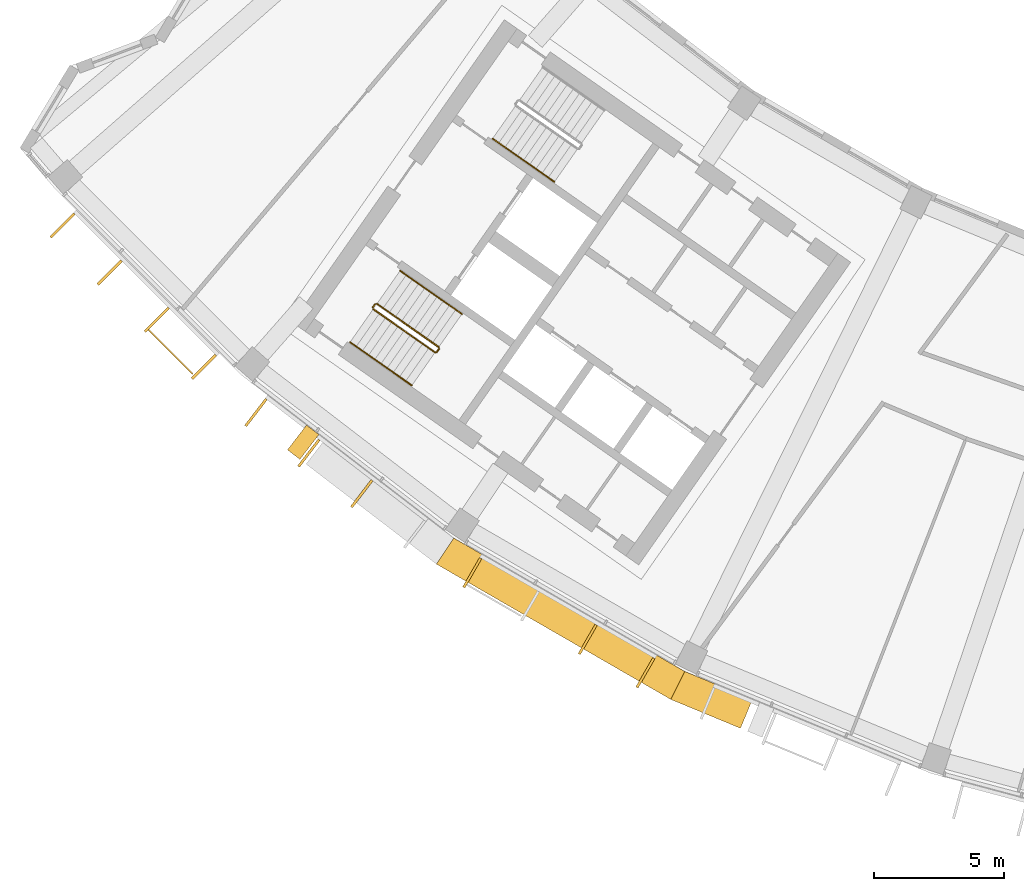
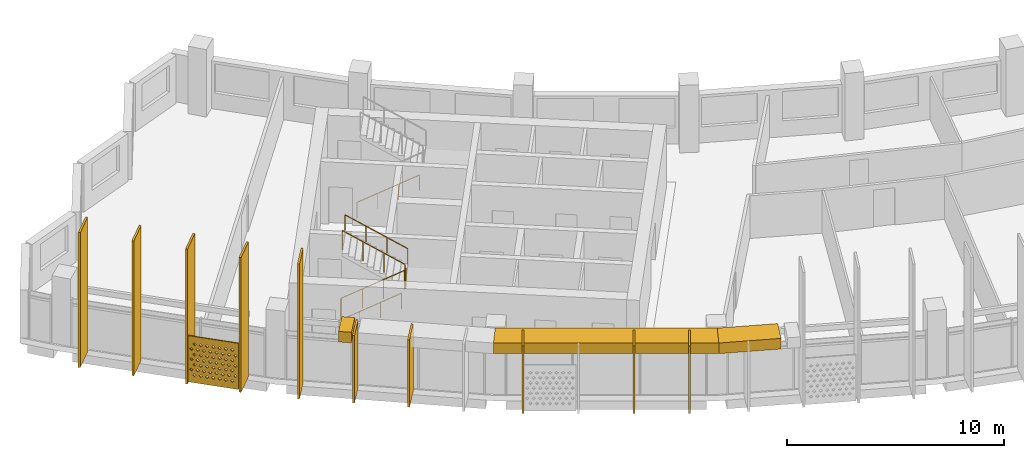
# One storey, part 23 of 28: 14 shading devices, 6 railings.
"""IFC4 building model written with IfcOpenShell, lengths in metres."""

from ifc_helpers import new_model, si_unit, direction, frame, origin, origin_2d, place, context, subcontext, project, spatial, polyline, rectangle, circle, outline, extrude, material, material_profile, profile_set, type_object, element, save


model = new_model("IFC4")

# Units and contexts
model_context = context("Model", 3, precision=1e-05, world=origin(), true_north=direction((0.0, 1.0)))
body_context = subcontext(model_context, "Body", "Model", "MODEL_VIEW")
ifc_project = project(units=[si_unit("LENGTHUNIT", "METRE"), si_unit("AREAUNIT", "SQUARE_METRE"), si_unit("VOLUMEUNIT", "CUBIC_METRE"), si_unit("PLANEANGLEUNIT", "RADIAN"), si_unit("MASSUNIT", "GRAM", prefix="KILO")], contexts=[model_context])

# Site, building, storey
site_placement = place(None, origin())
site = spatial("IfcSite", under=ifc_project, at=site_placement, CompositionType="ELEMENT")
building_placement = place(site_placement, origin())
building = spatial("IfcBuilding", under=site, at=building_placement, Name="Qamariyya Broadcast Tower", CompositionType="ELEMENT")
storey_placement = place(building_placement, frame((0.0, 0.0, 265.699951171875)))
storey = spatial("IfcBuildingStorey", under=building, at=storey_placement, Name="L64", CompositionType="ELEMENT", Elevation=265.699951171875)

# Shading devices
ifc_material_1 = material(Name="Steel S355 powder coated deep red", Category="steel")
shading_device_type_1 = type_object("IfcShadingDeviceType", Name="Deep red frame, powder coated steel box section", PredefinedType="USERDEFINED", material=ifc_material_1)
shading_device_1_placement = place(storey_placement, frame((0.0, 0.0, 3.199951171875)))
element("IfcShadingDevice", 1, at=shading_device_1_placement, inside=storey, type_object=shading_device_type_1, Name="e-frm-B5-F2-posta-L64", ObjectType="FRAME", PredefinedType="USERDEFINED", context=body_context, shape_type="SweptSolid", body=[
    extrude(outline(polyline([(-49.1875, -60.8037109375), (-49.91796875, -61.755615234375), (-49.44189453125, -62.120849609375), (-48.71142578125, -61.1689453125), (-49.1875, -60.8037109375)])), origin(), (0.0, 0.0, 1.0), 0.60009765625),
])
shading_device_2_placement = place(storey_placement, frame((0.0, 0.0, 3.199951171875)))
element("IfcShadingDevice", 2, at=shading_device_2_placement, inside=storey, type_object=shading_device_type_1, Name="e-frm-B5-F2-bot1", ObjectType="FRAME", PredefinedType="USERDEFINED", context=body_context, shape_type="SweptSolid", body=[
    extrude(outline(polyline([(-43.52880859375, -65.145751953125), (-44.197021484375, -66.1455078125), (-35.185302734375, -71.3486328125), (-34.6533203125, -70.27001953125), (-43.52880859375, -65.145751953125)])), origin(), (0.0, 0.0, 1.0), 0.60009765625),
])
shading_device_3_placement = place(storey_placement, frame((0.0, 0.0, 3.199951171875)))
element("IfcShadingDevice", 3, at=shading_device_3_placement, inside=storey, type_object=shading_device_type_1, Name="e-frm-B5-F2-bot2", ObjectType="FRAME", PredefinedType="USERDEFINED", context=body_context, shape_type="SweptSolid", body=[
    extrude(outline(polyline([(-34.6533203125, -70.27001953125), (-35.185302734375, -71.3486328125), (-32.5107421875, -72.456298828125), (-32.051513671875, -71.34765625), (-34.6533203125, -70.27001953125)])), origin(), (0.0, 0.0, 1.0), 0.60009765625),
])
ifc_material_2 = material(Name="Perforated glazed terracotta", Category="masonry")
ifc_material_profile_1 = material_profile(ifc_material_2, outline(polyline([(-1.199951171875, -1.300048828125), (1.199951171875, -1.300048828125), (1.199951171875, 1.300048828125), (-1.199951171875, 1.300048828125), (-1.199951171875, -1.300048828125)]), holes=[polyline([(-0.81494140625, -0.86669921875), (-0.89990234375, -0.78173828125), (-0.985107421875, -0.86669921875), (-0.89990234375, -0.95166015625), (-0.81494140625, -0.86669921875)]), polyline([(-0.514892578125, -0.86669921875), (-0.60009765625, -0.78173828125), (-0.68505859375, -0.86669921875), (-0.60009765625, -0.95166015625), (-0.514892578125, -0.86669921875)]), polyline([(-0.215087890625, -0.86669921875), (-0.300048828125, -0.78173828125), (-0.385009765625, -0.86669921875), (-0.300048828125, -0.95166015625), (-0.215087890625, -0.86669921875)]), polyline([(0.0849609375, -0.86669921875), (0.0, -0.78173828125), (-0.0849609375, -0.86669921875), (0.0, -0.95166015625), (0.0849609375, -0.86669921875)]), polyline([(0.385009765625, -0.86669921875), (0.300048828125, -0.78173828125), (0.215087890625, -0.86669921875), (0.300048828125, -0.95166015625), (0.385009765625, -0.86669921875)]), polyline([(0.68505859375, -0.86669921875), (0.60009765625, -0.78173828125), (0.514892578125, -0.86669921875), (0.60009765625, -0.95166015625), (0.68505859375, -0.86669921875)]), polyline([(0.985107421875, -0.86669921875), (0.89990234375, -0.78173828125), (0.81494140625, -0.86669921875), (0.89990234375, -0.95166015625), (0.985107421875, -0.86669921875)]), polyline([(-0.965087890625, -0.577880859375), (-1.050048828125, -0.49267578125), (-1.135009765625, -0.577880859375), (-1.050048828125, -0.662841796875), (-0.965087890625, -0.577880859375)]), polyline([(-0.6650390625, -0.577880859375), (-0.75, -0.49267578125), (-0.8349609375, -0.577880859375), (-0.75, -0.662841796875), (-0.6650390625, -0.577880859375)]), polyline([(-0.364990234375, -0.577880859375), (-0.449951171875, -0.49267578125), (-0.534912109375, -0.577880859375), (-0.449951171875, -0.662841796875), (-0.364990234375, -0.577880859375)]), polyline([(-0.06494140625, -0.577880859375), (-0.14990234375, -0.49267578125), (-0.235107421875, -0.577880859375), (-0.14990234375, -0.662841796875), (-0.06494140625, -0.577880859375)]), polyline([(0.235107421875, -0.577880859375), (0.14990234375, -0.49267578125), (0.06494140625, -0.577880859375), (0.14990234375, -0.662841796875), (0.235107421875, -0.577880859375)]), polyline([(0.534912109375, -0.577880859375), (0.449951171875, -0.49267578125), (0.364990234375, -0.577880859375), (0.449951171875, -0.662841796875), (0.534912109375, -0.577880859375)]), polyline([(0.8349609375, -0.577880859375), (0.75, -0.49267578125), (0.6650390625, -0.577880859375), (0.75, -0.662841796875), (0.8349609375, -0.577880859375)]), polyline([(1.135009765625, -0.577880859375), (1.050048828125, -0.49267578125), (0.965087890625, -0.577880859375), (1.050048828125, -0.662841796875), (1.135009765625, -0.577880859375)]), polyline([(-0.81494140625, -0.288818359375), (-0.89990234375, -0.203857421875), (-0.985107421875, -0.288818359375), (-0.89990234375, -0.373779296875), (-0.81494140625, -0.288818359375)]), polyline([(-0.514892578125, -0.288818359375), (-0.60009765625, -0.203857421875), (-0.68505859375, -0.288818359375), (-0.60009765625, -0.373779296875), (-0.514892578125, -0.288818359375)]), polyline([(-0.215087890625, -0.288818359375), (-0.300048828125, -0.203857421875), (-0.385009765625, -0.288818359375), (-0.300048828125, -0.373779296875), (-0.215087890625, -0.288818359375)]), polyline([(0.0849609375, -0.288818359375), (0.0, -0.203857421875), (-0.0849609375, -0.288818359375), (0.0, -0.373779296875), (0.0849609375, -0.288818359375)]), polyline([(0.385009765625, -0.288818359375), (0.300048828125, -0.203857421875), (0.215087890625, -0.288818359375), (0.300048828125, -0.373779296875), (0.385009765625, -0.288818359375)]), polyline([(0.68505859375, -0.288818359375), (0.60009765625, -0.203857421875), (0.514892578125, -0.288818359375), (0.60009765625, -0.373779296875), (0.68505859375, -0.288818359375)]), polyline([(0.985107421875, -0.288818359375), (0.89990234375, -0.203857421875), (0.81494140625, -0.288818359375), (0.89990234375, -0.373779296875), (0.985107421875, -0.288818359375)]), polyline([(-0.965087890625, 0.0), (-1.050048828125, 0.0849609375), (-1.135009765625, 0.0), (-1.050048828125, -0.0849609375), (-0.965087890625, 0.0)]), polyline([(-0.6650390625, 0.0), (-0.75, 0.0849609375), (-0.8349609375, 0.0), (-0.75, -0.0849609375), (-0.6650390625, 0.0)]), polyline([(-0.364990234375, 0.0), (-0.449951171875, 0.0849609375), (-0.534912109375, 0.0), (-0.449951171875, -0.0849609375), (-0.364990234375, 0.0)]), polyline([(-0.06494140625, 0.0), (-0.14990234375, 0.0849609375), (-0.235107421875, 0.0), (-0.14990234375, -0.0849609375), (-0.06494140625, 0.0)]), polyline([(0.235107421875, 0.0), (0.14990234375, 0.0849609375), (0.06494140625, 0.0), (0.14990234375, -0.0849609375), (0.235107421875, 0.0)]), polyline([(0.534912109375, 0.0), (0.449951171875, 0.0849609375), (0.364990234375, 0.0), (0.449951171875, -0.0849609375), (0.534912109375, 0.0)]), polyline([(0.8349609375, 0.0), (0.75, 0.0849609375), (0.6650390625, 0.0), (0.75, -0.0849609375), (0.8349609375, 0.0)]), polyline([(1.135009765625, 0.0), (1.050048828125, 0.0849609375), (0.965087890625, 0.0), (1.050048828125, -0.0849609375), (1.135009765625, 0.0)]), polyline([(-0.81494140625, 0.288818359375), (-0.89990234375, 0.373779296875), (-0.985107421875, 0.288818359375), (-0.89990234375, 0.203857421875), (-0.81494140625, 0.288818359375)]), polyline([(-0.514892578125, 0.288818359375), (-0.60009765625, 0.373779296875), (-0.68505859375, 0.288818359375), (-0.60009765625, 0.203857421875), (-0.514892578125, 0.288818359375)]), polyline([(-0.215087890625, 0.288818359375), (-0.300048828125, 0.373779296875), (-0.385009765625, 0.288818359375), (-0.300048828125, 0.203857421875), (-0.215087890625, 0.288818359375)]), polyline([(0.0849609375, 0.288818359375), (0.0, 0.373779296875), (-0.0849609375, 0.288818359375), (0.0, 0.203857421875), (0.0849609375, 0.288818359375)]), polyline([(0.385009765625, 0.288818359375), (0.300048828125, 0.373779296875), (0.215087890625, 0.288818359375), (0.300048828125, 0.203857421875), (0.385009765625, 0.288818359375)]), polyline([(0.68505859375, 0.288818359375), (0.60009765625, 0.373779296875), (0.514892578125, 0.288818359375), (0.60009765625, 0.203857421875), (0.68505859375, 0.288818359375)]), polyline([(0.985107421875, 0.288818359375), (0.89990234375, 0.373779296875), (0.81494140625, 0.288818359375), (0.89990234375, 0.203857421875), (0.985107421875, 0.288818359375)]), polyline([(-0.965087890625, 0.577880859375), (-1.050048828125, 0.662841796875), (-1.135009765625, 0.577880859375), (-1.050048828125, 0.49267578125), (-0.965087890625, 0.577880859375)]), polyline([(-0.6650390625, 0.577880859375), (-0.75, 0.662841796875), (-0.8349609375, 0.577880859375), (-0.75, 0.49267578125), (-0.6650390625, 0.577880859375)]), polyline([(-0.364990234375, 0.577880859375), (-0.449951171875, 0.662841796875), (-0.534912109375, 0.577880859375), (-0.449951171875, 0.49267578125), (-0.364990234375, 0.577880859375)]), polyline([(-0.06494140625, 0.577880859375), (-0.14990234375, 0.662841796875), (-0.235107421875, 0.577880859375), (-0.14990234375, 0.49267578125), (-0.06494140625, 0.577880859375)]), polyline([(0.235107421875, 0.577880859375), (0.14990234375, 0.662841796875), (0.06494140625, 0.577880859375), (0.14990234375, 0.49267578125), (0.235107421875, 0.577880859375)]), polyline([(0.534912109375, 0.577880859375), (0.449951171875, 0.662841796875), (0.364990234375, 0.577880859375), (0.449951171875, 0.49267578125), (0.534912109375, 0.577880859375)]), polyline([(0.8349609375, 0.577880859375), (0.75, 0.662841796875), (0.6650390625, 0.577880859375), (0.75, 0.49267578125), (0.8349609375, 0.577880859375)]), polyline([(1.135009765625, 0.577880859375), (1.050048828125, 0.662841796875), (0.965087890625, 0.577880859375), (1.050048828125, 0.49267578125), (1.135009765625, 0.577880859375)]), polyline([(-0.81494140625, 0.86669921875), (-0.89990234375, 0.95166015625), (-0.985107421875, 0.86669921875), (-0.89990234375, 0.78173828125), (-0.81494140625, 0.86669921875)]), polyline([(-0.514892578125, 0.86669921875), (-0.60009765625, 0.95166015625), (-0.68505859375, 0.86669921875), (-0.60009765625, 0.78173828125), (-0.514892578125, 0.86669921875)]), polyline([(-0.215087890625, 0.86669921875), (-0.300048828125, 0.95166015625), (-0.385009765625, 0.86669921875), (-0.300048828125, 0.78173828125), (-0.215087890625, 0.86669921875)]), polyline([(0.0849609375, 0.86669921875), (0.0, 0.95166015625), (-0.0849609375, 0.86669921875), (0.0, 0.78173828125), (0.0849609375, 0.86669921875)]), polyline([(0.385009765625, 0.86669921875), (0.300048828125, 0.95166015625), (0.215087890625, 0.86669921875), (0.300048828125, 0.78173828125), (0.385009765625, 0.86669921875)]), polyline([(0.68505859375, 0.86669921875), (0.60009765625, 0.95166015625), (0.514892578125, 0.86669921875), (0.60009765625, 0.78173828125), (0.68505859375, 0.86669921875)]), polyline([(0.985107421875, 0.86669921875), (0.89990234375, 0.95166015625), (0.81494140625, 0.86669921875), (0.89990234375, 0.78173828125), (0.985107421875, 0.86669921875)])]))
ifc_profile_set_1 = profile_set([ifc_material_profile_1], Name="Perforated glazed terracotta")
shading_device_type_2 = type_object("IfcShadingDeviceType", Name="Perforated terracotta screen 2400 x 2600", PredefinedType="USERDEFINED", material=ifc_profile_set_1)
shading_device_4_placement = place(storey_placement, frame((-54.391357421875, -57.970947265625, 1.35009765625), z_axis=(-0.707106781187, -0.707106781187, 0.0), x_axis=(0.707106781187, -0.707106781187, 0.0)))
element("IfcShadingDevice", 4, at=shading_device_4_placement, inside=storey, type_object=shading_device_type_2, Name="e-scr-L64-01-2", ObjectType="SCREEN", PredefinedType="USERDEFINED", context=body_context, shape_type="SweptSolid", body=[
    extrude(outline(polyline([(-1.199951171875, -1.300048828125), (1.199951171875, -1.300048828125), (1.199951171875, 1.300048828125), (-1.199951171875, 1.300048828125), (-1.199951171875, -1.300048828125)]), holes=[polyline([(-0.81494140625, -0.86669921875), (-0.89990234375, -0.78173828125), (-0.985107421875, -0.86669921875), (-0.89990234375, -0.95166015625), (-0.81494140625, -0.86669921875)]), polyline([(-0.514892578125, -0.86669921875), (-0.60009765625, -0.78173828125), (-0.68505859375, -0.86669921875), (-0.60009765625, -0.95166015625), (-0.514892578125, -0.86669921875)]), polyline([(-0.215087890625, -0.86669921875), (-0.300048828125, -0.78173828125), (-0.385009765625, -0.86669921875), (-0.300048828125, -0.95166015625), (-0.215087890625, -0.86669921875)]), polyline([(0.0849609375, -0.86669921875), (0.0, -0.78173828125), (-0.0849609375, -0.86669921875), (0.0, -0.95166015625), (0.0849609375, -0.86669921875)]), polyline([(0.385009765625, -0.86669921875), (0.300048828125, -0.78173828125), (0.215087890625, -0.86669921875), (0.300048828125, -0.95166015625), (0.385009765625, -0.86669921875)]), polyline([(0.68505859375, -0.86669921875), (0.60009765625, -0.78173828125), (0.514892578125, -0.86669921875), (0.60009765625, -0.95166015625), (0.68505859375, -0.86669921875)]), polyline([(0.985107421875, -0.86669921875), (0.89990234375, -0.78173828125), (0.81494140625, -0.86669921875), (0.89990234375, -0.95166015625), (0.985107421875, -0.86669921875)]), polyline([(-0.965087890625, -0.577880859375), (-1.050048828125, -0.49267578125), (-1.135009765625, -0.577880859375), (-1.050048828125, -0.662841796875), (-0.965087890625, -0.577880859375)]), polyline([(-0.6650390625, -0.577880859375), (-0.75, -0.49267578125), (-0.8349609375, -0.577880859375), (-0.75, -0.662841796875), (-0.6650390625, -0.577880859375)]), polyline([(-0.364990234375, -0.577880859375), (-0.449951171875, -0.49267578125), (-0.534912109375, -0.577880859375), (-0.449951171875, -0.662841796875), (-0.364990234375, -0.577880859375)]), polyline([(-0.06494140625, -0.577880859375), (-0.14990234375, -0.49267578125), (-0.235107421875, -0.577880859375), (-0.14990234375, -0.662841796875), (-0.06494140625, -0.577880859375)]), polyline([(0.235107421875, -0.577880859375), (0.14990234375, -0.49267578125), (0.06494140625, -0.577880859375), (0.14990234375, -0.662841796875), (0.235107421875, -0.577880859375)]), polyline([(0.534912109375, -0.577880859375), (0.449951171875, -0.49267578125), (0.364990234375, -0.577880859375), (0.449951171875, -0.662841796875), (0.534912109375, -0.577880859375)]), polyline([(0.8349609375, -0.577880859375), (0.75, -0.49267578125), (0.6650390625, -0.577880859375), (0.75, -0.662841796875), (0.8349609375, -0.577880859375)]), polyline([(1.135009765625, -0.577880859375), (1.050048828125, -0.49267578125), (0.965087890625, -0.577880859375), (1.050048828125, -0.662841796875), (1.135009765625, -0.577880859375)]), polyline([(-0.81494140625, -0.288818359375), (-0.89990234375, -0.203857421875), (-0.985107421875, -0.288818359375), (-0.89990234375, -0.373779296875), (-0.81494140625, -0.288818359375)]), polyline([(-0.514892578125, -0.288818359375), (-0.60009765625, -0.203857421875), (-0.68505859375, -0.288818359375), (-0.60009765625, -0.373779296875), (-0.514892578125, -0.288818359375)]), polyline([(-0.215087890625, -0.288818359375), (-0.300048828125, -0.203857421875), (-0.385009765625, -0.288818359375), (-0.300048828125, -0.373779296875), (-0.215087890625, -0.288818359375)]), polyline([(0.0849609375, -0.288818359375), (0.0, -0.203857421875), (-0.0849609375, -0.288818359375), (0.0, -0.373779296875), (0.0849609375, -0.288818359375)]), polyline([(0.385009765625, -0.288818359375), (0.300048828125, -0.203857421875), (0.215087890625, -0.288818359375), (0.300048828125, -0.373779296875), (0.385009765625, -0.288818359375)]), polyline([(0.68505859375, -0.288818359375), (0.60009765625, -0.203857421875), (0.514892578125, -0.288818359375), (0.60009765625, -0.373779296875), (0.68505859375, -0.288818359375)]), polyline([(0.985107421875, -0.288818359375), (0.89990234375, -0.203857421875), (0.81494140625, -0.288818359375), (0.89990234375, -0.373779296875), (0.985107421875, -0.288818359375)]), polyline([(-0.965087890625, 0.0), (-1.050048828125, 0.0849609375), (-1.135009765625, 0.0), (-1.050048828125, -0.0849609375), (-0.965087890625, 0.0)]), polyline([(-0.6650390625, 0.0), (-0.75, 0.0849609375), (-0.8349609375, 0.0), (-0.75, -0.0849609375), (-0.6650390625, 0.0)]), polyline([(-0.364990234375, 0.0), (-0.449951171875, 0.0849609375), (-0.534912109375, 0.0), (-0.449951171875, -0.0849609375), (-0.364990234375, 0.0)]), polyline([(-0.06494140625, 0.0), (-0.14990234375, 0.0849609375), (-0.235107421875, 0.0), (-0.14990234375, -0.0849609375), (-0.06494140625, 0.0)]), polyline([(0.235107421875, 0.0), (0.14990234375, 0.0849609375), (0.06494140625, 0.0), (0.14990234375, -0.0849609375), (0.235107421875, 0.0)]), polyline([(0.534912109375, 0.0), (0.449951171875, 0.0849609375), (0.364990234375, 0.0), (0.449951171875, -0.0849609375), (0.534912109375, 0.0)]), polyline([(0.8349609375, 0.0), (0.75, 0.0849609375), (0.6650390625, 0.0), (0.75, -0.0849609375), (0.8349609375, 0.0)]), polyline([(1.135009765625, 0.0), (1.050048828125, 0.0849609375), (0.965087890625, 0.0), (1.050048828125, -0.0849609375), (1.135009765625, 0.0)]), polyline([(-0.81494140625, 0.288818359375), (-0.89990234375, 0.373779296875), (-0.985107421875, 0.288818359375), (-0.89990234375, 0.203857421875), (-0.81494140625, 0.288818359375)]), polyline([(-0.514892578125, 0.288818359375), (-0.60009765625, 0.373779296875), (-0.68505859375, 0.288818359375), (-0.60009765625, 0.203857421875), (-0.514892578125, 0.288818359375)]), polyline([(-0.215087890625, 0.288818359375), (-0.300048828125, 0.373779296875), (-0.385009765625, 0.288818359375), (-0.300048828125, 0.203857421875), (-0.215087890625, 0.288818359375)]), polyline([(0.0849609375, 0.288818359375), (0.0, 0.373779296875), (-0.0849609375, 0.288818359375), (0.0, 0.203857421875), (0.0849609375, 0.288818359375)]), polyline([(0.385009765625, 0.288818359375), (0.300048828125, 0.373779296875), (0.215087890625, 0.288818359375), (0.300048828125, 0.203857421875), (0.385009765625, 0.288818359375)]), polyline([(0.68505859375, 0.288818359375), (0.60009765625, 0.373779296875), (0.514892578125, 0.288818359375), (0.60009765625, 0.203857421875), (0.68505859375, 0.288818359375)]), polyline([(0.985107421875, 0.288818359375), (0.89990234375, 0.373779296875), (0.81494140625, 0.288818359375), (0.89990234375, 0.203857421875), (0.985107421875, 0.288818359375)]), polyline([(-0.965087890625, 0.577880859375), (-1.050048828125, 0.662841796875), (-1.135009765625, 0.577880859375), (-1.050048828125, 0.49267578125), (-0.965087890625, 0.577880859375)]), polyline([(-0.6650390625, 0.577880859375), (-0.75, 0.662841796875), (-0.8349609375, 0.577880859375), (-0.75, 0.49267578125), (-0.6650390625, 0.577880859375)]), polyline([(-0.364990234375, 0.577880859375), (-0.449951171875, 0.662841796875), (-0.534912109375, 0.577880859375), (-0.449951171875, 0.49267578125), (-0.364990234375, 0.577880859375)]), polyline([(-0.06494140625, 0.577880859375), (-0.14990234375, 0.662841796875), (-0.235107421875, 0.577880859375), (-0.14990234375, 0.49267578125), (-0.06494140625, 0.577880859375)]), polyline([(0.235107421875, 0.577880859375), (0.14990234375, 0.662841796875), (0.06494140625, 0.577880859375), (0.14990234375, 0.49267578125), (0.235107421875, 0.577880859375)]), polyline([(0.534912109375, 0.577880859375), (0.449951171875, 0.662841796875), (0.364990234375, 0.577880859375), (0.449951171875, 0.49267578125), (0.534912109375, 0.577880859375)]), polyline([(0.8349609375, 0.577880859375), (0.75, 0.662841796875), (0.6650390625, 0.577880859375), (0.75, 0.49267578125), (0.8349609375, 0.577880859375)]), polyline([(1.135009765625, 0.577880859375), (1.050048828125, 0.662841796875), (0.965087890625, 0.577880859375), (1.050048828125, 0.49267578125), (1.135009765625, 0.577880859375)]), polyline([(-0.81494140625, 0.86669921875), (-0.89990234375, 0.95166015625), (-0.985107421875, 0.86669921875), (-0.89990234375, 0.78173828125), (-0.81494140625, 0.86669921875)]), polyline([(-0.514892578125, 0.86669921875), (-0.60009765625, 0.95166015625), (-0.68505859375, 0.86669921875), (-0.60009765625, 0.78173828125), (-0.514892578125, 0.86669921875)]), polyline([(-0.215087890625, 0.86669921875), (-0.300048828125, 0.95166015625), (-0.385009765625, 0.86669921875), (-0.300048828125, 0.78173828125), (-0.215087890625, 0.86669921875)]), polyline([(0.0849609375, 0.86669921875), (0.0, 0.95166015625), (-0.0849609375, 0.86669921875), (0.0, 0.78173828125), (0.0849609375, 0.86669921875)]), polyline([(0.385009765625, 0.86669921875), (0.300048828125, 0.95166015625), (0.215087890625, 0.86669921875), (0.300048828125, 0.78173828125), (0.385009765625, 0.86669921875)]), polyline([(0.68505859375, 0.86669921875), (0.60009765625, 0.95166015625), (0.514892578125, 0.86669921875), (0.60009765625, 0.78173828125), (0.68505859375, 0.86669921875)]), polyline([(0.985107421875, 0.86669921875), (0.89990234375, 0.95166015625), (0.81494140625, 0.86669921875), (0.89990234375, 0.78173828125), (0.985107421875, 0.86669921875)])]), origin(), (0.0, 0.0, 1.0), 0.06005859375),
])

# Railings
ifc_material_3 = material(Name="Painted steel", Category="steel")
railing_type_1 = type_object("IfcRailingType", Name="Stair guard", PredefinedType="GUARDRAIL", material=ifc_material_3)
railing_1_placement = place(storey_placement, frame((-46.624267578125, -56.34765625, 0.1728515625)))
element("IfcRailing", 5, at=railing_1_placement, inside=storey, type_object=railing_type_1, Name="L64 ST-W1 stair guard 1", PredefinedType="GUARDRAIL", context=body_context, shape_type="SweptSolid", body=[
    extrude(circle(Radius=0.02392578125, at=origin_2d()), frame((0.0, 0.0, 1.076171875), z_axis=(0.703745009021, -0.492838488332, 0.511715923826), x_axis=(0.573631830683, 0.819113253969, 0.0)), (0.0, 0.0, 1.0), 3.37548828125),
    extrude(circle(Radius=0.02392578125, at=origin_2d()), frame((2.37548828125, -1.66357421875, 2.80322265625), z_axis=(0.984363469884, 0.176149252506, 0.0), x_axis=(-0.176149252506, 0.984363469884, 0.0)), (0.0, 0.0, 1.0), 0.07080078125),
    extrude(circle(Radius=0.02392578125, at=origin_2d()), frame((2.445068359375, -1.651123046875, 2.80322265625), z_axis=(0.574444878118, 0.818543268254, 0.0), x_axis=(-0.818543268254, 0.574444878118, 0.0)), (0.0, 0.0, 1.0), 0.150146484375),
    extrude(circle(Radius=0.02099609375, at=origin_2d()), origin(), (0.0, 0.0, 1.0), 1.052001953125),
    extrude(circle(Radius=0.02099609375, at=origin_2d()), frame((0.791748046875, -0.554443359375, 0.57568359375)), (0.0, 0.0, 1.0), 1.052001953125),
    extrude(circle(Radius=0.02099609375, at=origin_2d()), frame((1.583740234375, -1.109130859375, 1.151611328125)), (0.0, 0.0, 1.0), 1.052001953125),
    extrude(circle(Radius=0.02099609375, at=origin_2d()), frame((2.37548828125, -1.66357421875, 1.727294921875)), (0.0, 0.0, 1.0), 1.052001953125),
    extrude(circle(Radius=0.02099609375, at=origin_2d()), frame((2.445068359375, -1.651123046875, 1.727294921875)), (0.0, 0.0, 1.0), 1.052001953125),
    extrude(circle(Radius=0.02099609375, at=origin_2d()), frame((2.53125, -1.5283203125, 1.727294921875)), (0.0, 0.0, 1.0), 1.052001953125),
])
railing_2_placement = place(storey_placement, frame((-44.10546875, -57.806396484375, 2.07275390625)))
element("IfcRailing", 6, at=railing_2_placement, inside=storey, type_object=railing_type_1, Name="L64 ST-W1 stair guard 2", PredefinedType="GUARDRAIL", context=body_context, shape_type="SweptSolid", body=[
    extrude(circle(Radius=0.02392578125, at=origin_2d()), frame((0.0, 0.0, 1.076171875), z_axis=(-0.703770094002, 0.492783725636, 0.511734163933), x_axis=(-0.573575343427, -0.819152809562, 0.0)), (0.0, 0.0, 1.0), 3.37548828125),
    extrude(circle(Radius=0.02099609375, at=origin_2d()), origin(), (0.0, 0.0, 1.0), 1.052001953125),
    extrude(circle(Radius=0.02099609375, at=origin_2d()), frame((-0.791748046875, 0.554443359375, 0.57568359375)), (0.0, 0.0, 1.0), 1.052001953125),
    extrude(circle(Radius=0.02099609375, at=origin_2d()), frame((-1.583740234375, 1.10888671875, 1.151611328125)), (0.0, 0.0, 1.0), 1.052001953125),
    extrude(circle(Radius=0.02099609375, at=origin_2d()), frame((-2.37548828125, 1.663330078125, 1.727294921875)), (0.0, 0.0, 1.0), 1.052001953125),
])
railing_3_placement = place(storey_placement, frame((-46.63671875, -56.278076171875, 0.0)))
element("IfcRailing", 7, at=railing_3_placement, inside=storey, type_object=railing_type_1, Name="L64 ST-W1 stair guard 3", PredefinedType="GUARDRAIL", context=body_context, shape_type="SweptSolid", body=[
    extrude(circle(Radius=0.02392578125, at=origin_2d()), frame((0.0, 0.0, 1.076171875), z_axis=(0.574444878118, 0.818543268254, 0.0), x_axis=(-0.818543268254, 0.574444878118, 0.0)), (0.0, 0.0, 1.0), 0.150146484375),
    extrude(circle(Radius=0.02099609375, at=origin_2d()), origin(), (0.0, 0.0, 1.0), 1.052001953125),
    extrude(circle(Radius=0.02099609375, at=origin_2d()), frame((0.086181640625, 0.122802734375, 0.0)), (0.0, 0.0, 1.0), 1.052001953125),
])
ifc_material_4 = material(Name="Stainless steel", Category="steel")
railing_type_2 = type_object("IfcRailingType", Name="Stair handrail", PredefinedType="HANDRAIL", material=ifc_material_4)
railing_4_placement = place(storey_placement, frame((-42.03564453125, -49.79443359375, 0.1728515625)))
element("IfcRailing", 8, at=railing_4_placement, inside=storey, type_object=railing_type_2, Name="L64 ST-W2 stair handrail 1", PredefinedType="HANDRAIL", context=body_context, shape_type="SweptSolid", body=[
    extrude(circle(Radius=0.02392578125, at=origin_2d()), frame((0.0, 0.0, 0.8759765625), z_axis=(0.703745009021, -0.492838488332, 0.511715923826), x_axis=(0.573631830683, 0.819113253969, 0.0)), (0.0, 0.0, 1.0), 3.37548828125),
    extrude(circle(Radius=0.02099609375, at=origin_2d()), origin(), (0.0, 0.0, 1.0), 0.851806640625),
    extrude(circle(Radius=0.02099609375, at=origin_2d()), frame((0.791748046875, -0.554443359375, 0.57568359375)), (0.0, 0.0, 1.0), 0.851806640625),
    extrude(circle(Radius=0.02099609375, at=origin_2d()), frame((1.583740234375, -1.109130859375, 1.151611328125)), (0.0, 0.0, 1.0), 0.851806640625),
    extrude(circle(Radius=0.02099609375, at=origin_2d()), frame((2.37548828125, -1.66357421875, 1.727294921875)), (0.0, 0.0, 1.0), 0.851806640625),
])
railing_5_placement = place(storey_placement, frame((-47.513427734375, -57.617431640625, 0.1728515625)))
element("IfcRailing", 9, at=railing_5_placement, inside=storey, type_object=railing_type_2, Name="L64 ST-W1 stair handrail 1", PredefinedType="HANDRAIL", context=body_context, shape_type="SweptSolid", body=[
    extrude(circle(Radius=0.02392578125, at=origin_2d()), frame((0.0, 0.0, 0.8759765625), z_axis=(0.703770094002, -0.492783725636, 0.511734163933), x_axis=(0.573575343427, 0.819152809562, 0.0)), (0.0, 0.0, 1.0), 3.37548828125),
    extrude(circle(Radius=0.02099609375, at=origin_2d()), origin(), (0.0, 0.0, 1.0), 0.851806640625),
    extrude(circle(Radius=0.02099609375, at=origin_2d()), frame((0.791748046875, -0.554443359375, 0.57568359375)), (0.0, 0.0, 1.0), 0.851806640625),
    extrude(circle(Radius=0.02099609375, at=origin_2d()), frame((1.583740234375, -1.10888671875, 1.151611328125)), (0.0, 0.0, 1.0), 0.851806640625),
    extrude(circle(Radius=0.02099609375, at=origin_2d()), frame((2.37548828125, -1.663330078125, 1.727294921875)), (0.0, 0.0, 1.0), 0.851806640625),
])
railing_6_placement = place(storey_placement, frame((-43.21630859375, -56.53662109375, 2.07275390625)))
element("IfcRailing", 10, at=railing_6_placement, inside=storey, type_object=railing_type_2, Name="L64 ST-W1 stair handrail 2", PredefinedType="HANDRAIL", context=body_context, shape_type="SweptSolid", body=[
    extrude(circle(Radius=0.02392578125, at=origin_2d()), frame((0.0, 0.0, 0.8759765625), z_axis=(-0.703770094002, 0.492783725636, 0.511734163933), x_axis=(-0.573575343427, -0.819152809562, 0.0)), (0.0, 0.0, 1.0), 3.37548828125),
    extrude(circle(Radius=0.02099609375, at=origin_2d()), origin(), (0.0, 0.0, 1.0), 0.851806640625),
    extrude(circle(Radius=0.02099609375, at=origin_2d()), frame((-0.791748046875, 0.554443359375, 0.57568359375)), (0.0, 0.0, 1.0), 0.851806640625),
    extrude(circle(Radius=0.02099609375, at=origin_2d()), frame((-1.583740234375, 1.10888671875, 1.151611328125)), (0.0, 0.0, 1.0), 0.851806640625),
    extrude(circle(Radius=0.02099609375, at=origin_2d()), frame((-2.37548828125, 1.663330078125, 1.727294921875)), (0.0, 0.0, 1.0), 0.851806640625),
])

# Shading devices
ifc_material_5 = material(Name="Glazed terracotta", Category="masonry")
ifc_material_profile_2 = material_profile(ifc_material_5, rectangle(XDim=1.300048828125, YDim=0.10009765625, at=origin_2d()))
ifc_profile_set_2 = profile_set([ifc_material_profile_2], Name="Glazed terracotta")
shading_device_type_3 = type_object("IfcShadingDeviceType", Name="Terracotta fin 100 x 1300", PredefinedType="USERDEFINED", material=ifc_profile_set_2)
for number, where, z_axis, x_axis, name in (
    (11, (-58.56640625, -53.13134765625, 0.0), (0.0, 0.0, 1.0), (-0.707106781187, -0.707106781187, 0.0), "e-fin-L64-01-0"),
    (12, (-56.754638671875, -54.943115234375, 0.0), (0.0, 0.0, 1.0), (-0.707106781187, -0.707106781187, 0.0), "e-fin-L64-01-1"),
    (13, (-54.943115234375, -56.754638671875, 0.0), (0.0, 0.0, 1.0), (-0.707106781187, -0.707106781187, 0.0), "e-fin-L64-01-2"),
    (14, (-53.13134765625, -58.56640625, 0.0), (0.0, 0.0, 1.0), (-0.707106781187, -0.707106781187, 0.0), "e-fin-L64-01-3"),
    (15, (-51.13037109375, -60.3212890625, 0.0), (0.0, 0.0, 1.0), (-0.608761429009, -0.793353340291, 0.0), "e-fin-L64-02-0"),
):
    element("IfcShadingDevice", number, at=place(storey_placement, frame(where, z_axis=z_axis, x_axis=x_axis)), inside=storey, type_object=shading_device_type_3, Name=name, ObjectType="FIN", PredefinedType="USERDEFINED", context=body_context, shape_type="SweptSolid", body=[
        extrude(rectangle(XDim=1.300048828125, YDim=0.10009765625, at=origin_2d()), origin(), (0.0, 0.0, 1.0), 7.60009765625),
    ])
for number, where, z_axis, x_axis, name in (
    (16, (-49.09765625, -61.880859375, 0.0), (0.0, 0.0, 1.0), (-0.608761429009, -0.793353340291, 0.0), "e-fin-L64-02-1"),
    (17, (-47.06494140625, -63.440673828125, 0.0), (0.0, 0.0, 1.0), (-0.608761429009, -0.793353340291, 0.0), "e-fin-L64-02-2"),
    (18, (-42.819580078125, -66.47900390625, 0.0), (0.0, 0.0, 1.0), (-0.5, -0.866025403784, 0.0), "e-fin-L64-03-0"),
    (19, (-38.381591796875, -69.041259765625, 0.0), (0.0, 0.0, 1.0), (-0.5, -0.866025403784, 0.0), "e-fin-L64-03-2"),
    (20, (-36.162841796875, -70.322265625, 0.0), (0.0, 0.0, 1.0), (-0.5, -0.866025403784, 0.0), "e-fin-L64-03-3"),
):
    element("IfcShadingDevice", number, at=place(storey_placement, frame(where, z_axis=z_axis, x_axis=x_axis)), inside=storey, type_object=shading_device_type_3, Name=name, ObjectType="FIN", PredefinedType="USERDEFINED", context=body_context, shape_type="SweptSolid", body=[
        extrude(rectangle(XDim=1.300048828125, YDim=0.10009765625, at=origin_2d()), origin(), (0.0, 0.0, 1.0), 3.800048828125),
    ])

save(model, "model.ifc")
